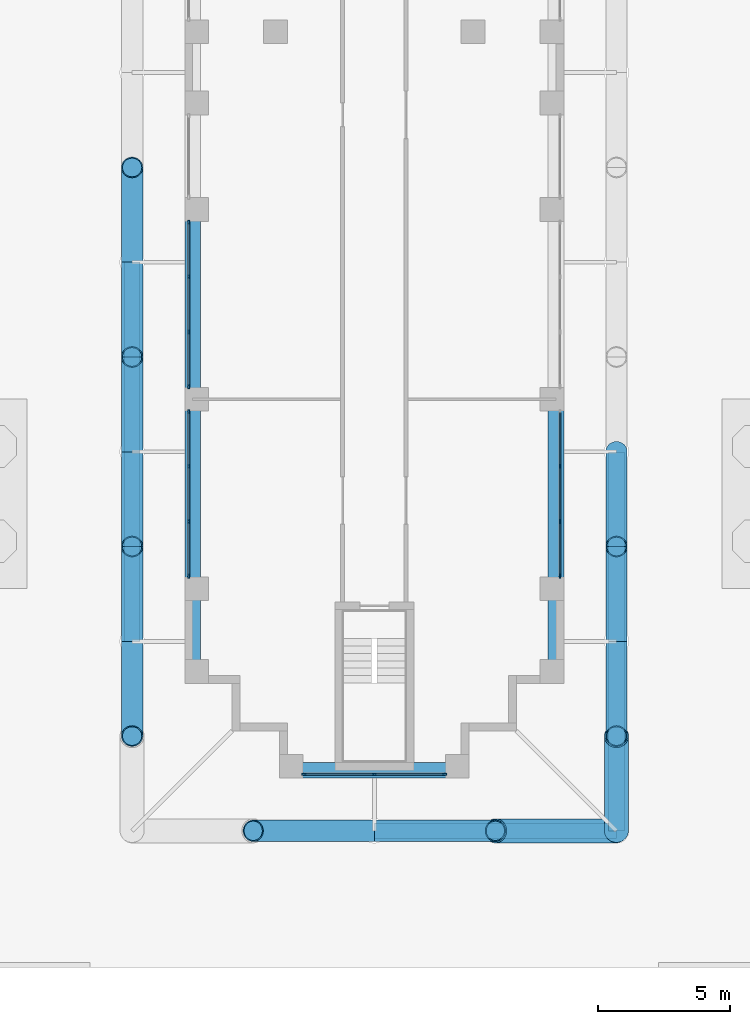
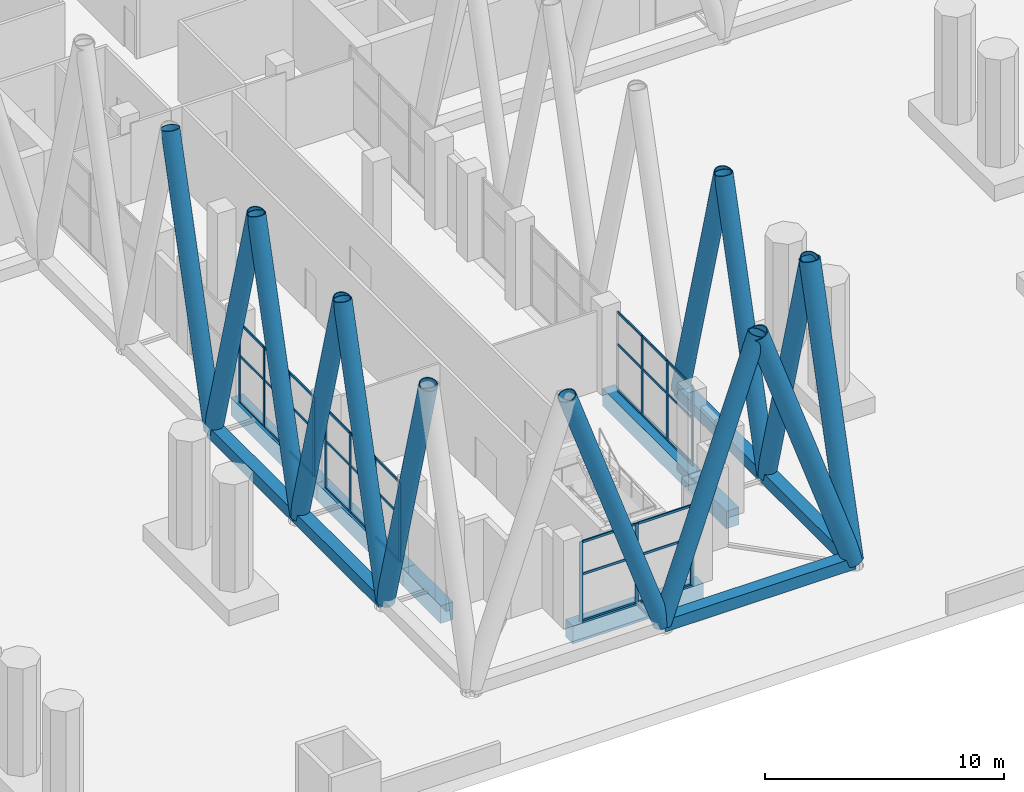
# One storey, part 2 of 31: 65 members, 6 beams, 4 elements without a shape of their own.
"""IFC4 building model written with IfcOpenShell, lengths in metres."""

from ifc_helpers import new_model, si_unit, direction, frame, origin, origin_2d, place, context, subcontext, project, spatial, rectangle, hollow_rectangle, hollow_circle, extrude, material, material_profile, profile_set, type_object, element, aggregate, save


model = new_model("IFC4")

# Units and contexts
model_context = context("Model", 3, precision=1e-05, world=origin(), true_north=direction((0.0, 1.0)))
body_context = subcontext(model_context, "Body", "Model", "MODEL_VIEW")
ifc_project = project(units=[si_unit("LENGTHUNIT", "METRE"), si_unit("AREAUNIT", "SQUARE_METRE"), si_unit("VOLUMEUNIT", "CUBIC_METRE"), si_unit("PLANEANGLEUNIT", "RADIAN"), si_unit("MASSUNIT", "GRAM", prefix="KILO")], contexts=[model_context])

# Site, building, storey
site_placement = place(None, origin())
site = spatial("IfcSite", under=ifc_project, at=site_placement, CompositionType="ELEMENT")
building_placement = place(site_placement, origin())
building = spatial("IfcBuilding", under=site, at=building_placement, Name="Fustian Cross Tower", CompositionType="ELEMENT")
storey_placement = place(building_placement, frame((0.0, 0.0, 7.199951171875)))
storey = spatial("IfcBuildingStorey", under=building, at=storey_placement, Name="L01", CompositionType="ELEMENT", Elevation=7.199951171875)

# Curtain wall, members
ifc_material_1 = material(Name="Glass", Category="glass")
curtain_wall_type = type_object("IfcCurtainWallType", Name="CW4 CURTAIN WALL", PredefinedType="NOTDEFINED", material=ifc_material_1)
curtain_wall_1_placement = place(storey_placement, origin())
curtain_wall_1 = element("IfcCurtainWall", 1, at=curtain_wall_1_placement, inside=storey, type_object=curtain_wall_type, Name="Curtain wall CW4", PredefinedType="NOTDEFINED")
ifc_material_2 = material(Name="Aluminium alloy 6063", Category="aluminium")
ifc_material_profile_1 = material_profile(ifc_material_2, rectangle(XDim=0.06005859375, YDim=0.159912109375, at=origin_2d()), Name="CW4 MULLION 60x160")
ifc_profile_set_1 = profile_set([ifc_material_profile_1], Name="Aluminium alloy 6063")
member_type_1 = type_object("IfcMemberType", Name="CW4 MULLION 60x160", PredefinedType="MULLION", material=ifc_profile_set_1)
member_1_placement = place(storey_placement, frame((-7.050048828125, -22.080078125, 0.0), z_axis=(0.0, 0.0, 1.0), x_axis=(1.0, 0.0, 0.0)))
member_1 = element("IfcMember", 2, at=member_1_placement, type_object=member_type_1, Name="CW4 mullion 1", PredefinedType="MULLION", context=body_context, shape_type="SweptSolid", body=[
    extrude(rectangle(XDim=0.06005859375, YDim=0.159912109375, at=origin_2d()), origin(), (0.0, 0.0, 1.0), 4.074951171875),
])
member_2_placement = place(storey_placement, frame((-7.050048828125, -24.14990234375, 0.0), z_axis=(0.0, 0.0, 1.0), x_axis=(1.0, 0.0, 0.0)))
member_2 = element("IfcMember", 3, at=member_2_placement, type_object=member_type_1, Name="CW4 mullion 2", PredefinedType="MULLION", context=body_context, shape_type="SweptSolid", body=[
    extrude(rectangle(XDim=0.06005859375, YDim=0.159912109375, at=origin_2d()), origin(), (0.0, 0.0, 1.0), 4.074951171875),
])
member_3_placement = place(storey_placement, frame((-7.050048828125, -26.25, 0.0), z_axis=(0.0, 0.0, 1.0), x_axis=(1.0, 0.0, 0.0)))
member_3 = element("IfcMember", 4, at=member_3_placement, type_object=member_type_1, Name="CW4 mullion 3", PredefinedType="MULLION", context=body_context, shape_type="SweptSolid", body=[
    extrude(rectangle(XDim=0.06005859375, YDim=0.159912109375, at=origin_2d()), origin(), (0.0, 0.0, 1.0), 4.074951171875),
])
member_4_placement = place(storey_placement, frame((-7.050048828125, -28.320068359375, 0.0), z_axis=(0.0, 0.0, 1.0), x_axis=(1.0, 0.0, 0.0)))
member_4 = element("IfcMember", 5, at=member_4_placement, type_object=member_type_1, Name="CW4 mullion 4", PredefinedType="MULLION", context=body_context, shape_type="SweptSolid", body=[
    extrude(rectangle(XDim=0.06005859375, YDim=0.159912109375, at=origin_2d()), origin(), (0.0, 0.0, 1.0), 4.074951171875),
])

curtain_wall_2_placement = place(storey_placement, origin())
curtain_wall_2 = element("IfcCurtainWall", 6, at=curtain_wall_2_placement, inside=storey, type_object=curtain_wall_type, Name="Curtain wall CW4", PredefinedType="NOTDEFINED")
member_5_placement = place(storey_placement, frame((-7.050048828125, -29.280029296875, 0.0), z_axis=(0.0, 0.0, 1.0), x_axis=(1.0, 0.0, 0.0)))
member_5 = element("IfcMember", 7, at=member_5_placement, type_object=member_type_1, Name="CW4 mullion 1", PredefinedType="MULLION", context=body_context, shape_type="SweptSolid", body=[
    extrude(rectangle(XDim=0.06005859375, YDim=0.159912109375, at=origin_2d()), origin(), (0.0, 0.0, 1.0), 4.074951171875),
])
member_6_placement = place(storey_placement, frame((-7.050048828125, -31.35009765625, 0.0), z_axis=(0.0, 0.0, 1.0), x_axis=(1.0, 0.0, 0.0)))
member_6 = element("IfcMember", 8, at=member_6_placement, type_object=member_type_1, Name="CW4 mullion 2", PredefinedType="MULLION", context=body_context, shape_type="SweptSolid", body=[
    extrude(rectangle(XDim=0.06005859375, YDim=0.159912109375, at=origin_2d()), origin(), (0.0, 0.0, 1.0), 4.074951171875),
])
member_7_placement = place(storey_placement, frame((-7.050048828125, -33.449951171875, 0.0), z_axis=(0.0, 0.0, 1.0), x_axis=(1.0, 0.0, 0.0)))
member_7 = element("IfcMember", 9, at=member_7_placement, type_object=member_type_1, Name="CW4 mullion 3", PredefinedType="MULLION", context=body_context, shape_type="SweptSolid", body=[
    extrude(rectangle(XDim=0.06005859375, YDim=0.159912109375, at=origin_2d()), origin(), (0.0, 0.0, 1.0), 4.074951171875),
])
member_8_placement = place(storey_placement, frame((-7.050048828125, -35.52001953125, 0.0), z_axis=(0.0, 0.0, 1.0), x_axis=(1.0, 0.0, 0.0)))
member_8 = element("IfcMember", 10, at=member_8_placement, type_object=member_type_1, Name="CW4 mullion 4", PredefinedType="MULLION", context=body_context, shape_type="SweptSolid", body=[
    extrude(rectangle(XDim=0.06005859375, YDim=0.159912109375, at=origin_2d()), origin(), (0.0, 0.0, 1.0), 4.074951171875),
])

curtain_wall_3_placement = place(storey_placement, origin())
curtain_wall_3 = element("IfcCurtainWall", 11, at=curtain_wall_3_placement, inside=storey, type_object=curtain_wall_type, Name="Curtain wall CW4", PredefinedType="NOTDEFINED")
member_9_placement = place(storey_placement, frame((-2.669921875, -43.050048828125, 0.0), z_axis=(0.0, 0.0, 1.0), x_axis=(0.0, 1.0, 0.0)))
member_9 = element("IfcMember", 12, at=member_9_placement, type_object=member_type_1, Name="CW4 mullion 1", PredefinedType="MULLION", context=body_context, shape_type="SweptSolid", body=[
    extrude(rectangle(XDim=0.06005859375, YDim=0.159912109375, at=origin_2d()), origin(), (0.0, 0.0, 1.0), 4.074951171875),
])
member_10_placement = place(storey_placement, frame((0.0, -43.050048828125, 0.0), z_axis=(0.0, 0.0, 1.0), x_axis=(0.0, 1.0, 0.0)))
member_10 = element("IfcMember", 13, at=member_10_placement, type_object=member_type_1, Name="CW4 mullion 2", PredefinedType="MULLION", context=body_context, shape_type="SweptSolid", body=[
    extrude(rectangle(XDim=0.06005859375, YDim=0.159912109375, at=origin_2d()), origin(), (0.0, 0.0, 1.0), 4.074951171875),
])
member_11_placement = place(storey_placement, frame((2.669921875, -43.050048828125, 0.0), z_axis=(0.0, 0.0, 1.0), x_axis=(0.0, 1.0, 0.0)))
member_11 = element("IfcMember", 14, at=member_11_placement, type_object=member_type_1, Name="CW4 mullion 3", PredefinedType="MULLION", context=body_context, shape_type="SweptSolid", body=[
    extrude(rectangle(XDim=0.06005859375, YDim=0.159912109375, at=origin_2d()), origin(), (0.0, 0.0, 1.0), 4.074951171875),
])

curtain_wall_4_placement = place(storey_placement, origin())
curtain_wall_4 = element("IfcCurtainWall", 15, at=curtain_wall_4_placement, inside=storey, type_object=curtain_wall_type, Name="Curtain wall CW4", PredefinedType="NOTDEFINED")
member_12_placement = place(storey_placement, frame((7.050048828125, -35.52001953125, 0.0), z_axis=(0.0, 0.0, 1.0), x_axis=(-1.0, 0.0, 0.0)))
member_12 = element("IfcMember", 16, at=member_12_placement, type_object=member_type_1, Name="CW4 mullion 1", PredefinedType="MULLION", context=body_context, shape_type="SweptSolid", body=[
    extrude(rectangle(XDim=0.06005859375, YDim=0.159912109375, at=origin_2d()), origin(), (0.0, 0.0, 1.0), 4.074951171875),
])
member_13_placement = place(storey_placement, frame((7.050048828125, -33.449951171875, 0.0), z_axis=(0.0, 0.0, 1.0), x_axis=(-1.0, 0.0, 0.0)))
member_13 = element("IfcMember", 17, at=member_13_placement, type_object=member_type_1, Name="CW4 mullion 2", PredefinedType="MULLION", context=body_context, shape_type="SweptSolid", body=[
    extrude(rectangle(XDim=0.06005859375, YDim=0.159912109375, at=origin_2d()), origin(), (0.0, 0.0, 1.0), 4.074951171875),
])
member_14_placement = place(storey_placement, frame((7.050048828125, -31.35009765625, 0.0), z_axis=(0.0, 0.0, 1.0), x_axis=(-1.0, 0.0, 0.0)))
member_14 = element("IfcMember", 18, at=member_14_placement, type_object=member_type_1, Name="CW4 mullion 3", PredefinedType="MULLION", context=body_context, shape_type="SweptSolid", body=[
    extrude(rectangle(XDim=0.06005859375, YDim=0.159912109375, at=origin_2d()), origin(), (0.0, 0.0, 1.0), 4.074951171875),
])

# Member
ifc_material_3 = material(Name="Aluminium alloy 6063", Category="aluminium")
ifc_material_profile_2 = material_profile(ifc_material_3, rectangle(XDim=0.06005859375, YDim=0.1201171875, at=origin_2d()), Name="CW4 TRANSOM 60x120")
ifc_profile_set_2 = profile_set([ifc_material_profile_2], Name="Aluminium alloy 6063")
member_type_2 = type_object("IfcMemberType", Name="CW4 TRANSOM 60x120", PredefinedType="USERDEFINED", material=ifc_profile_set_2)
member_15_placement = place(storey_placement, frame((-7.050048828125, -22.110107421875, 0.030029296875), z_axis=(0.0, -1.0, 0.0), x_axis=(1.0, 0.0, 0.0)))
member_15 = element("IfcMember", 19, at=member_15_placement, type_object=member_type_2, Name="CW4 transom 1.1", ObjectType="TRANSOM", PredefinedType="USERDEFINED", context=body_context, shape_type="SweptSolid", body=[
    extrude(rectangle(XDim=0.06005859375, YDim=0.1201171875, at=origin_2d()), origin(), (0.0, 0.0, 1.0), 2.010009765625),
])

member_16_placement = place(storey_placement, frame((-7.050048828125, -22.110107421875, 2.400146484375), z_axis=(0.0, -1.0, 0.0), x_axis=(1.0, 0.0, 0.0)))
member_16 = element("IfcMember", 20, at=member_16_placement, type_object=member_type_2, Name="CW4 transom 1.2", ObjectType="TRANSOM", PredefinedType="USERDEFINED", context=body_context, shape_type="SweptSolid", body=[
    extrude(rectangle(XDim=0.06005859375, YDim=0.1201171875, at=origin_2d()), origin(), (0.0, 0.0, 1.0), 2.010009765625),
])

member_17_placement = place(storey_placement, frame((-7.050048828125, -22.110107421875, 4.045166015625), z_axis=(0.0, -1.0, 0.0), x_axis=(1.0, 0.0, 0.0)))
member_17 = element("IfcMember", 21, at=member_17_placement, type_object=member_type_2, Name="CW4 transom 1.3", ObjectType="TRANSOM", PredefinedType="USERDEFINED", context=body_context, shape_type="SweptSolid", body=[
    extrude(rectangle(XDim=0.06005859375, YDim=0.1201171875, at=origin_2d()), origin(), (0.0, 0.0, 1.0), 2.010009765625),
])

member_18_placement = place(storey_placement, frame((-7.050048828125, -24.179931640625, 0.030029296875), z_axis=(0.0, -1.0, 0.0), x_axis=(1.0, 0.0, 0.0)))
member_18 = element("IfcMember", 22, at=member_18_placement, type_object=member_type_2, Name="CW4 transom 2.1", ObjectType="TRANSOM", PredefinedType="USERDEFINED", context=body_context, shape_type="SweptSolid", body=[
    extrude(rectangle(XDim=0.06005859375, YDim=0.1201171875, at=origin_2d()), origin(), (0.0, 0.0, 1.0), 2.0400390625),
])

member_19_placement = place(storey_placement, frame((-7.050048828125, -24.179931640625, 2.400146484375), z_axis=(0.0, -1.0, 0.0), x_axis=(1.0, 0.0, 0.0)))
member_19 = element("IfcMember", 23, at=member_19_placement, type_object=member_type_2, Name="CW4 transom 2.2", ObjectType="TRANSOM", PredefinedType="USERDEFINED", context=body_context, shape_type="SweptSolid", body=[
    extrude(rectangle(XDim=0.06005859375, YDim=0.1201171875, at=origin_2d()), origin(), (0.0, 0.0, 1.0), 2.0400390625),
])

member_20_placement = place(storey_placement, frame((-7.050048828125, -24.179931640625, 4.045166015625), z_axis=(0.0, -1.0, 0.0), x_axis=(1.0, 0.0, 0.0)))
member_20 = element("IfcMember", 24, at=member_20_placement, type_object=member_type_2, Name="CW4 transom 2.3", ObjectType="TRANSOM", PredefinedType="USERDEFINED", context=body_context, shape_type="SweptSolid", body=[
    extrude(rectangle(XDim=0.06005859375, YDim=0.1201171875, at=origin_2d()), origin(), (0.0, 0.0, 1.0), 2.0400390625),
])

member_21_placement = place(storey_placement, frame((-7.050048828125, -26.280029296875, 0.030029296875), z_axis=(0.0, -1.0, 0.0), x_axis=(1.0, 0.0, 0.0)))
member_21 = element("IfcMember", 25, at=member_21_placement, type_object=member_type_2, Name="CW4 transom 3.1", ObjectType="TRANSOM", PredefinedType="USERDEFINED", context=body_context, shape_type="SweptSolid", body=[
    extrude(rectangle(XDim=0.06005859375, YDim=0.1201171875, at=origin_2d()), origin(), (0.0, 0.0, 1.0), 2.010009765625),
])

member_22_placement = place(storey_placement, frame((-7.050048828125, -26.280029296875, 2.400146484375), z_axis=(0.0, -1.0, 0.0), x_axis=(1.0, 0.0, 0.0)))
member_22 = element("IfcMember", 26, at=member_22_placement, type_object=member_type_2, Name="CW4 transom 3.2", ObjectType="TRANSOM", PredefinedType="USERDEFINED", context=body_context, shape_type="SweptSolid", body=[
    extrude(rectangle(XDim=0.06005859375, YDim=0.1201171875, at=origin_2d()), origin(), (0.0, 0.0, 1.0), 2.010009765625),
])

member_23_placement = place(storey_placement, frame((-7.050048828125, -26.280029296875, 4.045166015625), z_axis=(0.0, -1.0, 0.0), x_axis=(1.0, 0.0, 0.0)))
member_23 = element("IfcMember", 27, at=member_23_placement, type_object=member_type_2, Name="CW4 transom 3.3", ObjectType="TRANSOM", PredefinedType="USERDEFINED", context=body_context, shape_type="SweptSolid", body=[
    extrude(rectangle(XDim=0.06005859375, YDim=0.1201171875, at=origin_2d()), origin(), (0.0, 0.0, 1.0), 2.010009765625),
])

aggregate(curtain_wall_1, [member_1, member_2, member_3, member_4, member_15, member_16, member_17, member_18, member_19, member_20, member_21, member_22, member_23])

member_24_placement = place(storey_placement, frame((-7.050048828125, -29.31005859375, 0.030029296875), z_axis=(0.0, -1.0, 0.0), x_axis=(1.0, 0.0, 0.0)))
member_24 = element("IfcMember", 28, at=member_24_placement, type_object=member_type_2, Name="CW4 transom 1.1", ObjectType="TRANSOM", PredefinedType="USERDEFINED", context=body_context, shape_type="SweptSolid", body=[
    extrude(rectangle(XDim=0.06005859375, YDim=0.1201171875, at=origin_2d()), origin(), (0.0, 0.0, 1.0), 2.010009765625),
])

member_25_placement = place(storey_placement, frame((-7.050048828125, -29.31005859375, 2.400146484375), z_axis=(0.0, -1.0, 0.0), x_axis=(1.0, 0.0, 0.0)))
member_25 = element("IfcMember", 29, at=member_25_placement, type_object=member_type_2, Name="CW4 transom 1.2", ObjectType="TRANSOM", PredefinedType="USERDEFINED", context=body_context, shape_type="SweptSolid", body=[
    extrude(rectangle(XDim=0.06005859375, YDim=0.1201171875, at=origin_2d()), origin(), (0.0, 0.0, 1.0), 2.010009765625),
])

member_26_placement = place(storey_placement, frame((-7.050048828125, -29.31005859375, 4.045166015625), z_axis=(0.0, -1.0, 0.0), x_axis=(1.0, 0.0, 0.0)))
member_26 = element("IfcMember", 30, at=member_26_placement, type_object=member_type_2, Name="CW4 transom 1.3", ObjectType="TRANSOM", PredefinedType="USERDEFINED", context=body_context, shape_type="SweptSolid", body=[
    extrude(rectangle(XDim=0.06005859375, YDim=0.1201171875, at=origin_2d()), origin(), (0.0, 0.0, 1.0), 2.010009765625),
])

member_27_placement = place(storey_placement, frame((-7.050048828125, -31.3798828125, 0.030029296875), z_axis=(0.0, -1.0, 0.0), x_axis=(1.0, 0.0, 0.0)))
member_27 = element("IfcMember", 31, at=member_27_placement, type_object=member_type_2, Name="CW4 transom 2.1", ObjectType="TRANSOM", PredefinedType="USERDEFINED", context=body_context, shape_type="SweptSolid", body=[
    extrude(rectangle(XDim=0.06005859375, YDim=0.1201171875, at=origin_2d()), origin(), (0.0, 0.0, 1.0), 2.0400390625),
])

member_28_placement = place(storey_placement, frame((-7.050048828125, -31.3798828125, 2.400146484375), z_axis=(0.0, -1.0, 0.0), x_axis=(1.0, 0.0, 0.0)))
member_28 = element("IfcMember", 32, at=member_28_placement, type_object=member_type_2, Name="CW4 transom 2.2", ObjectType="TRANSOM", PredefinedType="USERDEFINED", context=body_context, shape_type="SweptSolid", body=[
    extrude(rectangle(XDim=0.06005859375, YDim=0.1201171875, at=origin_2d()), origin(), (0.0, 0.0, 1.0), 2.0400390625),
])

member_29_placement = place(storey_placement, frame((-7.050048828125, -31.3798828125, 4.045166015625), z_axis=(0.0, -1.0, 0.0), x_axis=(1.0, 0.0, 0.0)))
member_29 = element("IfcMember", 33, at=member_29_placement, type_object=member_type_2, Name="CW4 transom 2.3", ObjectType="TRANSOM", PredefinedType="USERDEFINED", context=body_context, shape_type="SweptSolid", body=[
    extrude(rectangle(XDim=0.06005859375, YDim=0.1201171875, at=origin_2d()), origin(), (0.0, 0.0, 1.0), 2.0400390625),
])

member_30_placement = place(storey_placement, frame((-7.050048828125, -33.47998046875, 0.030029296875), z_axis=(0.0, -1.0, 0.0), x_axis=(1.0, 0.0, 0.0)))
member_30 = element("IfcMember", 34, at=member_30_placement, type_object=member_type_2, Name="CW4 transom 3.1", ObjectType="TRANSOM", PredefinedType="USERDEFINED", context=body_context, shape_type="SweptSolid", body=[
    extrude(rectangle(XDim=0.06005859375, YDim=0.1201171875, at=origin_2d()), origin(), (0.0, 0.0, 1.0), 2.010009765625),
])

member_31_placement = place(storey_placement, frame((-7.050048828125, -33.47998046875, 2.400146484375), z_axis=(0.0, -1.0, 0.0), x_axis=(1.0, 0.0, 0.0)))
member_31 = element("IfcMember", 35, at=member_31_placement, type_object=member_type_2, Name="CW4 transom 3.2", ObjectType="TRANSOM", PredefinedType="USERDEFINED", context=body_context, shape_type="SweptSolid", body=[
    extrude(rectangle(XDim=0.06005859375, YDim=0.1201171875, at=origin_2d()), origin(), (0.0, 0.0, 1.0), 2.010009765625),
])

member_32_placement = place(storey_placement, frame((-7.050048828125, -33.47998046875, 4.045166015625), z_axis=(0.0, -1.0, 0.0), x_axis=(1.0, 0.0, 0.0)))
member_32 = element("IfcMember", 36, at=member_32_placement, type_object=member_type_2, Name="CW4 transom 3.3", ObjectType="TRANSOM", PredefinedType="USERDEFINED", context=body_context, shape_type="SweptSolid", body=[
    extrude(rectangle(XDim=0.06005859375, YDim=0.1201171875, at=origin_2d()), origin(), (0.0, 0.0, 1.0), 2.010009765625),
])

aggregate(curtain_wall_2, [member_5, member_6, member_7, member_8, member_24, member_25, member_26, member_27, member_28, member_29, member_30, member_31, member_32])

member_33_placement = place(storey_placement, frame((-2.639892578125, -43.050048828125, 0.030029296875), z_axis=(1.0, 0.0, 0.0), x_axis=(0.0, 1.0, 0.0)))
member_33 = element("IfcMember", 37, at=member_33_placement, type_object=member_type_2, Name="CW4 transom 1.1", ObjectType="TRANSOM", PredefinedType="USERDEFINED", context=body_context, shape_type="SweptSolid", body=[
    extrude(rectangle(XDim=0.06005859375, YDim=0.1201171875, at=origin_2d()), origin(), (0.0, 0.0, 1.0), 2.60986328125),
])

member_34_placement = place(storey_placement, frame((-2.639892578125, -43.050048828125, 2.400146484375), z_axis=(1.0, 0.0, 0.0), x_axis=(0.0, 1.0, 0.0)))
member_34 = element("IfcMember", 38, at=member_34_placement, type_object=member_type_2, Name="CW4 transom 1.2", ObjectType="TRANSOM", PredefinedType="USERDEFINED", context=body_context, shape_type="SweptSolid", body=[
    extrude(rectangle(XDim=0.06005859375, YDim=0.1201171875, at=origin_2d()), origin(), (0.0, 0.0, 1.0), 2.60986328125),
])

member_35_placement = place(storey_placement, frame((-2.639892578125, -43.050048828125, 4.045166015625), z_axis=(1.0, 0.0, 0.0), x_axis=(0.0, 1.0, 0.0)))
member_35 = element("IfcMember", 39, at=member_35_placement, type_object=member_type_2, Name="CW4 transom 1.3", ObjectType="TRANSOM", PredefinedType="USERDEFINED", context=body_context, shape_type="SweptSolid", body=[
    extrude(rectangle(XDim=0.06005859375, YDim=0.1201171875, at=origin_2d()), origin(), (0.0, 0.0, 1.0), 2.60986328125),
])

member_36_placement = place(storey_placement, frame((0.030029296875, -43.050048828125, 0.030029296875), z_axis=(1.0, 0.0, 0.0), x_axis=(0.0, 1.0, 0.0)))
member_36 = element("IfcMember", 40, at=member_36_placement, type_object=member_type_2, Name="CW4 transom 2.1", ObjectType="TRANSOM", PredefinedType="USERDEFINED", context=body_context, shape_type="SweptSolid", body=[
    extrude(rectangle(XDim=0.06005859375, YDim=0.1201171875, at=origin_2d()), origin(), (0.0, 0.0, 1.0), 2.60986328125),
])

member_37_placement = place(storey_placement, frame((0.030029296875, -43.050048828125, 2.400146484375), z_axis=(1.0, 0.0, 0.0), x_axis=(0.0, 1.0, 0.0)))
member_37 = element("IfcMember", 41, at=member_37_placement, type_object=member_type_2, Name="CW4 transom 2.2", ObjectType="TRANSOM", PredefinedType="USERDEFINED", context=body_context, shape_type="SweptSolid", body=[
    extrude(rectangle(XDim=0.06005859375, YDim=0.1201171875, at=origin_2d()), origin(), (0.0, 0.0, 1.0), 2.60986328125),
])

member_38_placement = place(storey_placement, frame((0.030029296875, -43.050048828125, 4.045166015625), z_axis=(1.0, 0.0, 0.0), x_axis=(0.0, 1.0, 0.0)))
member_38 = element("IfcMember", 42, at=member_38_placement, type_object=member_type_2, Name="CW4 transom 2.3", ObjectType="TRANSOM", PredefinedType="USERDEFINED", context=body_context, shape_type="SweptSolid", body=[
    extrude(rectangle(XDim=0.06005859375, YDim=0.1201171875, at=origin_2d()), origin(), (0.0, 0.0, 1.0), 2.60986328125),
])

aggregate(curtain_wall_3, [member_9, member_10, member_11, member_33, member_34, member_35, member_36, member_37, member_38])

member_39_placement = place(storey_placement, frame((7.050048828125, -35.489990234375, 0.030029296875), z_axis=(0.0, 1.0, 0.0), x_axis=(-1.0, 0.0, 0.0)))
member_39 = element("IfcMember", 43, at=member_39_placement, type_object=member_type_2, Name="CW4 transom 1.1", ObjectType="TRANSOM", PredefinedType="USERDEFINED", context=body_context, shape_type="SweptSolid", body=[
    extrude(rectangle(XDim=0.06005859375, YDim=0.1201171875, at=origin_2d()), origin(), (0.0, 0.0, 1.0), 2.010009765625),
])

member_40_placement = place(storey_placement, frame((7.050048828125, -35.489990234375, 2.400146484375), z_axis=(0.0, 1.0, 0.0), x_axis=(-1.0, 0.0, 0.0)))
member_40 = element("IfcMember", 44, at=member_40_placement, type_object=member_type_2, Name="CW4 transom 1.2", ObjectType="TRANSOM", PredefinedType="USERDEFINED", context=body_context, shape_type="SweptSolid", body=[
    extrude(rectangle(XDim=0.06005859375, YDim=0.1201171875, at=origin_2d()), origin(), (0.0, 0.0, 1.0), 2.010009765625),
])

member_41_placement = place(storey_placement, frame((7.050048828125, -35.489990234375, 4.045166015625), z_axis=(0.0, 1.0, 0.0), x_axis=(-1.0, 0.0, 0.0)))
member_41 = element("IfcMember", 45, at=member_41_placement, type_object=member_type_2, Name="CW4 transom 1.3", ObjectType="TRANSOM", PredefinedType="USERDEFINED", context=body_context, shape_type="SweptSolid", body=[
    extrude(rectangle(XDim=0.06005859375, YDim=0.1201171875, at=origin_2d()), origin(), (0.0, 0.0, 1.0), 2.010009765625),
])

member_42_placement = place(storey_placement, frame((7.050048828125, -33.419921875, 0.030029296875), z_axis=(0.0, 1.0, 0.0), x_axis=(-1.0, 0.0, 0.0)))
member_42 = element("IfcMember", 46, at=member_42_placement, type_object=member_type_2, Name="CW4 transom 2.1", ObjectType="TRANSOM", PredefinedType="USERDEFINED", context=body_context, shape_type="SweptSolid", body=[
    extrude(rectangle(XDim=0.06005859375, YDim=0.1201171875, at=origin_2d()), origin(), (0.0, 0.0, 1.0), 2.0400390625),
])

member_43_placement = place(storey_placement, frame((7.050048828125, -33.419921875, 2.400146484375), z_axis=(0.0, 1.0, 0.0), x_axis=(-1.0, 0.0, 0.0)))
member_43 = element("IfcMember", 47, at=member_43_placement, type_object=member_type_2, Name="CW4 transom 2.2", ObjectType="TRANSOM", PredefinedType="USERDEFINED", context=body_context, shape_type="SweptSolid", body=[
    extrude(rectangle(XDim=0.06005859375, YDim=0.1201171875, at=origin_2d()), origin(), (0.0, 0.0, 1.0), 2.0400390625),
])

member_44_placement = place(storey_placement, frame((7.050048828125, -33.419921875, 4.045166015625), z_axis=(0.0, 1.0, 0.0), x_axis=(-1.0, 0.0, 0.0)))
member_44 = element("IfcMember", 48, at=member_44_placement, type_object=member_type_2, Name="CW4 transom 2.3", ObjectType="TRANSOM", PredefinedType="USERDEFINED", context=body_context, shape_type="SweptSolid", body=[
    extrude(rectangle(XDim=0.06005859375, YDim=0.1201171875, at=origin_2d()), origin(), (0.0, 0.0, 1.0), 2.0400390625),
])

member_45_placement = place(storey_placement, frame((7.050048828125, -31.320068359375, 0.030029296875), z_axis=(0.0, 1.0, 0.0), x_axis=(-1.0, 0.0, 0.0)))
member_45 = element("IfcMember", 49, at=member_45_placement, type_object=member_type_2, Name="CW4 transom 3.1", ObjectType="TRANSOM", PredefinedType="USERDEFINED", context=body_context, shape_type="SweptSolid", body=[
    extrude(rectangle(XDim=0.06005859375, YDim=0.1201171875, at=origin_2d()), origin(), (0.0, 0.0, 1.0), 2.010009765625),
])

member_46_placement = place(storey_placement, frame((7.050048828125, -31.320068359375, 2.400146484375), z_axis=(0.0, 1.0, 0.0), x_axis=(-1.0, 0.0, 0.0)))
member_46 = element("IfcMember", 50, at=member_46_placement, type_object=member_type_2, Name="CW4 transom 3.2", ObjectType="TRANSOM", PredefinedType="USERDEFINED", context=body_context, shape_type="SweptSolid", body=[
    extrude(rectangle(XDim=0.06005859375, YDim=0.1201171875, at=origin_2d()), origin(), (0.0, 0.0, 1.0), 2.010009765625),
])

member_47_placement = place(storey_placement, frame((7.050048828125, -31.320068359375, 4.045166015625), z_axis=(0.0, 1.0, 0.0), x_axis=(-1.0, 0.0, 0.0)))
member_47 = element("IfcMember", 51, at=member_47_placement, type_object=member_type_2, Name="CW4 transom 3.3", ObjectType="TRANSOM", PredefinedType="USERDEFINED", context=body_context, shape_type="SweptSolid", body=[
    extrude(rectangle(XDim=0.06005859375, YDim=0.1201171875, at=origin_2d()), origin(), (0.0, 0.0, 1.0), 2.010009765625),
])

aggregate(curtain_wall_4, [member_12, member_13, member_14, member_39, member_40, member_41, member_42, member_43, member_44, member_45, member_46, member_47])

# Members
ifc_material_4 = material(Name="Steel S355", Category="steel")
ifc_material_profile_3 = material_profile(ifc_material_4, hollow_circle(Radius=0.406494140625, WallThickness=0.0400390625, at=origin_2d()), Name="CHS 813x40")
ifc_profile_set_3 = profile_set([ifc_material_profile_3], Name="Steel S355")
member_type_3 = type_object("IfcMemberType", Name="DIAGRID DIAGONAL CHS 813x40", PredefinedType="BRACE", material=ifc_profile_set_3)
for number, where, z_axis, x_axis, name in (
    (52, (-9.199951171875, -23.60009765625, 0.300048828125), (0.0, 0.263124955092, 0.964761762306), (-1.0, 0.0, 0.0), "Diagrid diagonal S-W 04"),
    (53, (-9.199951171875, -23.60009765625, 0.300048828125), (0.0, -0.263108346568, 0.964766291889), (1.0, 0.0, 0.0), "Diagrid diagonal S-W 05"),
    (54, (-9.199951171875, -30.800048828125, 0.300048828125), (0.0, 0.263124955092, 0.964761762306), (-1.0, 0.0, 0.0), "Diagrid diagonal S-W 06"),
    (55, (-9.199951171875, -30.800048828125, 0.300048828125), (0.0, -0.263108346568, 0.964766291889), (1.0, 0.0, 0.0), "Diagrid diagonal S-W 07"),
    (56, (-9.199951171875, -38.0, 0.300048828125), (0.0, 0.263124955092, 0.964761762306), (-1.0, 0.0, 0.0), "Diagrid diagonal S-W 08"),
    (57, (-9.199951171875, -38.0, 0.300048828125), (0.0, -0.263124955092, 0.964761762306), (1.0, 0.0, 0.0), "Diagrid diagonal S-W 09"),
):
    element("IfcMember", number, at=place(storey_placement, frame(where, z_axis=z_axis, x_axis=x_axis)), inside=storey, type_object=member_type_3, Name=name, PredefinedType="BRACE", context=body_context, shape_type="SweptSolid", body=[
        extrude(hollow_circle(Radius=0.406494140625, WallThickness=0.0400390625, at=origin_2d()), origin(), (0.0, 0.0, 1.0), 13.68212890625),
    ])
for number, where, z_axis, x_axis, name in (
    (58, (0.0, -45.199951171875, 0.300048828125), (-0.329082816703, 0.0, 0.944301064148), (0.0, -1.0, 0.0), "Diagrid diagonal S-end 02"),
    (59, (0.0, -45.199951171875, 0.300048828125), (0.329082816703, 0.0, 0.944301064148), (0.0, 1.0, 0.0), "Diagrid diagonal S-end 03"),
):
    element("IfcMember", number, at=place(storey_placement, frame(where, z_axis=z_axis, x_axis=x_axis)), inside=storey, type_object=member_type_3, Name=name, PredefinedType="BRACE", context=body_context, shape_type="SweptSolid", body=[
        extrude(hollow_circle(Radius=0.406494140625, WallThickness=0.0400390625, at=origin_2d()), origin(), (0.0, 0.0, 1.0), 13.978515625),
    ])
for number, where, z_axis, x_axis, name in (
    (60, (9.199951171875, -38.0, 0.300048828125), (0.0, -0.263124955092, 0.964761762306), (1.0, 0.0, 0.0), "Diagrid diagonal S-E 02"),
    (61, (9.199951171875, -38.0, 0.300048828125), (0.0, 0.263124955092, 0.964761762306), (-1.0, 0.0, 0.0), "Diagrid diagonal S-E 03"),
    (62, (9.199951171875, -30.800048828125, 0.300048828125), (0.0, -0.263108346568, 0.964766291889), (1.0, 0.0, 0.0), "Diagrid diagonal S-E 04"),
):
    element("IfcMember", number, at=place(storey_placement, frame(where, z_axis=z_axis, x_axis=x_axis)), inside=storey, type_object=member_type_3, Name=name, PredefinedType="BRACE", context=body_context, shape_type="SweptSolid", body=[
        extrude(hollow_circle(Radius=0.406494140625, WallThickness=0.0400390625, at=origin_2d()), origin(), (0.0, 0.0, 1.0), 13.68212890625),
    ])
ifc_material_5 = material(Name="Steel S355", Category="steel")
ifc_material_profile_4 = material_profile(ifc_material_5, hollow_circle(Radius=0.457275390625, WallThickness=0.050048828125, at=origin_2d()), Name="CHS 914x50")
ifc_profile_set_4 = profile_set([ifc_material_profile_4], Name="Steel S355")
member_type_4 = type_object("IfcMemberType", Name="DIAGRID DIAGONAL CHS 914x50", PredefinedType="BRACE", material=ifc_profile_set_4)
member_48_placement = place(storey_placement, frame((9.199951171875, -45.199951171875, 0.300048828125), z_axis=(-0.329067242605, 0.0, 0.944306491476), x_axis=(0.0, -1.0, 0.0)))
element("IfcMember", 63, at=member_48_placement, inside=storey, type_object=member_type_4, Name="Diagrid diagonal S-end 04", PredefinedType="BRACE", context=body_context, shape_type="SweptSolid", body=[
    extrude(hollow_circle(Radius=0.457275390625, WallThickness=0.050048828125, at=origin_2d()), origin(), (0.0, 0.0, 1.0), 13.978515625),
])
member_49_placement = place(storey_placement, frame((9.199951171875, -45.199951171875, 0.300048828125), z_axis=(0.0, 0.263108346568, 0.964766291889), x_axis=(-1.0, 0.0, 0.0)))
element("IfcMember", 64, at=member_49_placement, inside=storey, type_object=member_type_4, Name="Diagrid diagonal S-E 01", PredefinedType="BRACE", context=body_context, shape_type="SweptSolid", body=[
    extrude(hollow_circle(Radius=0.457275390625, WallThickness=0.050048828125, at=origin_2d()), origin(), (0.0, 0.0, 1.0), 13.68212890625),
])
ifc_material_6 = material(Name="Steel S355", Category="steel")
ifc_material_profile_5 = material_profile(ifc_material_6, hollow_rectangle(XDim=0.60009765625, YDim=0.60009765625, WallThickness=0.030029296875, at=origin_2d()), Name="RHS 600x600x30")
ifc_profile_set_5 = profile_set([ifc_material_profile_5], Name="Steel S355")
member_type_5 = type_object("IfcMemberType", Name="DIAGRID RING RHS 600x600x30", PredefinedType="MEMBER", material=ifc_profile_set_5)
for number, where, z_axis, x_axis, name in (
    (65, (-9.199951171875, -23.60009765625, 0.300048828125), (0.0, -1.0, 0.0), (1.0, 0.0, 0.0), "Diagrid ring L01-34 L01-35"),
    (66, (-9.199951171875, -30.800048828125, 0.300048828125), (0.0, -1.0, 0.0), (1.0, 0.0, 0.0), "Diagrid ring L01-35 L01-36"),
):
    element("IfcMember", number, at=place(storey_placement, frame(where, z_axis=z_axis, x_axis=x_axis)), inside=storey, type_object=member_type_5, Name=name, PredefinedType="MEMBER", context=body_context, shape_type="SweptSolid", body=[
        extrude(hollow_rectangle(XDim=0.60009765625, YDim=0.60009765625, WallThickness=0.030029296875, at=origin_2d()), origin(), (0.0, 0.0, 1.0), 7.199951171875),
    ])
member_50_placement = place(storey_placement, frame((0.0, -45.199951171875, 0.300048828125), z_axis=(1.0, 0.0, 0.0), x_axis=(0.0, 1.0, 0.0)))
element("IfcMember", 67, at=member_50_placement, inside=storey, type_object=member_type_5, Name="Diagrid ring L01-38 L01-39", PredefinedType="MEMBER", context=body_context, shape_type="SweptSolid", body=[
    extrude(hollow_rectangle(XDim=0.60009765625, YDim=0.60009765625, WallThickness=0.030029296875, at=origin_2d()), origin(), (0.0, 0.0, 1.0), 9.199951171875),
])
for number, where, z_axis, x_axis, name in (
    (68, (9.199951171875, -45.199951171875, 0.300048828125), (0.0, 1.0, 0.0), (-1.0, 0.0, 0.0), "Diagrid ring L01-39 L01-40"),
    (69, (9.199951171875, -38.0, 0.300048828125), (0.0, 1.0, 0.0), (-1.0, 0.0, 0.0), "Diagrid ring L01-40 L01-41"),
):
    element("IfcMember", number, at=place(storey_placement, frame(where, z_axis=z_axis, x_axis=x_axis)), inside=storey, type_object=member_type_5, Name=name, PredefinedType="MEMBER", context=body_context, shape_type="SweptSolid", body=[
        extrude(hollow_rectangle(XDim=0.60009765625, YDim=0.60009765625, WallThickness=0.030029296875, at=origin_2d()), origin(), (0.0, 0.0, 1.0), 7.199951171875),
    ])

# Beams
ifc_material_7 = material(Name="Concrete C50/60", Category="concrete")
ifc_material_profile_6 = material_profile(ifc_material_7, rectangle(XDim=0.60009765625, YDim=0.89990234375, at=origin_2d()), Name="RC 600x900")
ifc_profile_set_6 = profile_set([ifc_material_profile_6], Name="Concrete C50/60")
beam_type = type_object("IfcBeamType", Name="EDGE BEAM RC 600x900 C50/60", PredefinedType="SPANDREL", material=ifc_profile_set_6)
for number, where, z_axis, x_axis, name in (
    (70, (-6.89990234375, -21.60009765625, -0.449951171875), (0.0, -1.0, 0.0), (1.0, 0.0, 0.0), "EDGE BEAM L01-35"),
    (71, (-6.89990234375, -28.800048828125, -0.449951171875), (0.0, -1.0, 0.0), (1.0, 0.0, 0.0), "EDGE BEAM L01-36"),
):
    element("IfcBeam", number, at=place(storey_placement, frame(where, z_axis=z_axis, x_axis=x_axis)), inside=storey, type_object=beam_type, Name=name, PredefinedType="SPANDREL", context=body_context, shape_type="SweptSolid", body=[
        extrude(rectangle(XDim=0.60009765625, YDim=0.89990234375, at=origin_2d()), origin(), (0.0, 0.0, 1.0), 7.199951171875),
    ])
beam_1_placement = place(storey_placement, frame((-6.89990234375, -36.0, -0.449951171875), z_axis=(0.0, -1.0, 0.0), x_axis=(1.0, 0.0, 0.0)))
element("IfcBeam", 72, at=beam_1_placement, inside=storey, type_object=beam_type, Name="EDGE BEAM L01-37", PredefinedType="SPANDREL", context=body_context, shape_type="SweptSolid", body=[
    extrude(rectangle(XDim=0.60009765625, YDim=0.89990234375, at=origin_2d()), origin(), (0.0, 0.0, 1.0), 3.14990234375),
])
beam_2_placement = place(storey_placement, frame((-3.14990234375, -42.89990234375, -0.449951171875), z_axis=(1.0, 0.0, 0.0), x_axis=(0.0, 1.0, 0.0)))
element("IfcBeam", 73, at=beam_2_placement, inside=storey, type_object=beam_type, Name="EDGE BEAM L01-38", PredefinedType="SPANDREL", context=body_context, shape_type="SweptSolid", body=[
    extrude(rectangle(XDim=0.60009765625, YDim=0.89990234375, at=origin_2d()), origin(), (0.0, 0.0, 1.0), 6.2998046875),
])
beam_3_placement = place(storey_placement, frame((6.89990234375, -39.14990234375, -0.449951171875), z_axis=(0.0, 1.0, 0.0), x_axis=(-1.0, 0.0, 0.0)))
element("IfcBeam", 74, at=beam_3_placement, inside=storey, type_object=beam_type, Name="EDGE BEAM L01-39", PredefinedType="SPANDREL", context=body_context, shape_type="SweptSolid", body=[
    extrude(rectangle(XDim=0.60009765625, YDim=0.89990234375, at=origin_2d()), origin(), (0.0, 0.0, 1.0), 3.14990234375),
])
beam_4_placement = place(storey_placement, frame((6.89990234375, -36.0, -0.449951171875), z_axis=(0.0, 1.0, 0.0), x_axis=(-1.0, 0.0, 0.0)))
element("IfcBeam", 75, at=beam_4_placement, inside=storey, type_object=beam_type, Name="EDGE BEAM L01-40", PredefinedType="SPANDREL", context=body_context, shape_type="SweptSolid", body=[
    extrude(rectangle(XDim=0.60009765625, YDim=0.89990234375, at=origin_2d()), origin(), (0.0, 0.0, 1.0), 7.199951171875),
])

save(model, "model.ifc")
